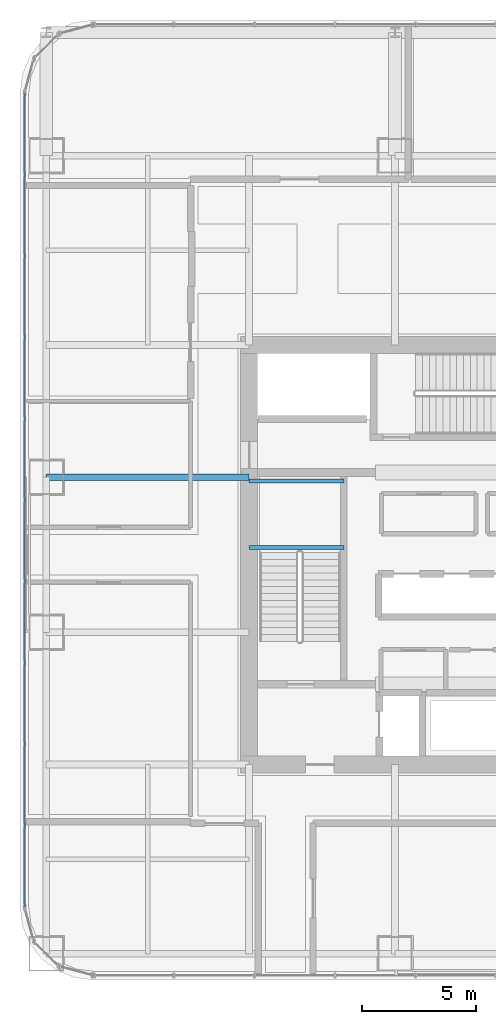
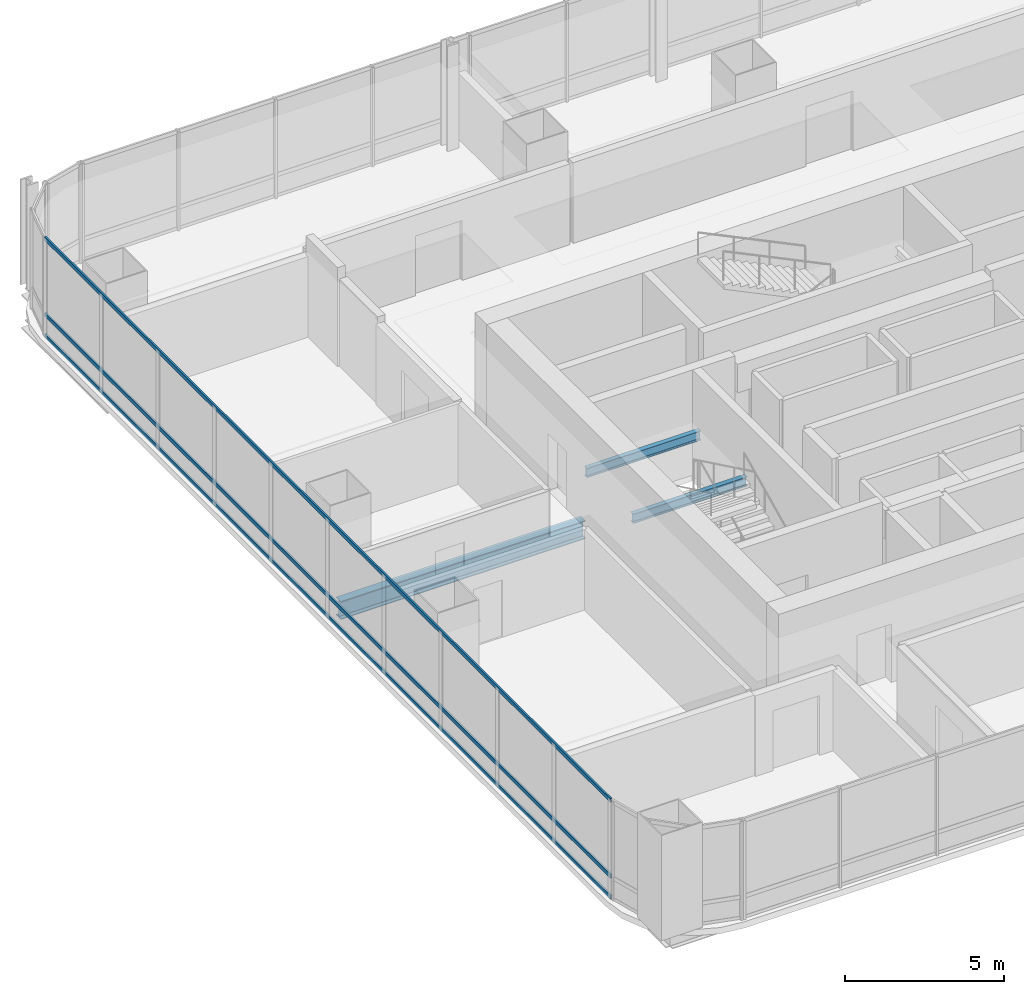
# One storey, part 10 of 34: 3 beams, 3 members, 1 element without a shape of its own.
"""IFC4 building model written with IfcOpenShell, lengths in metres."""

from ifc_helpers import new_model, si_unit, direction, frame, origin, origin_2d, place, context, subcontext, project, spatial, hollow_rectangle, i_section, extrude, material, material_profile, profile_set, type_object, element, aggregate, save


model = new_model("IFC4")

# Units and contexts
model_context = context("Model", 3, precision=1e-05, world=origin(), true_north=direction((0.0, 1.0)))
body_context = subcontext(model_context, "Body", "Model", "MODEL_VIEW")
ifc_project = project(units=[si_unit("LENGTHUNIT", "METRE"), si_unit("AREAUNIT", "SQUARE_METRE"), si_unit("VOLUMEUNIT", "CUBIC_METRE"), si_unit("PLANEANGLEUNIT", "RADIAN"), si_unit("MASSUNIT", "GRAM", prefix="KILO")], contexts=[model_context])

# Site, building, storey
site_placement = place(None, origin())
site = spatial("IfcSite", under=ifc_project, at=site_placement, CompositionType="ELEMENT")
building_placement = place(site_placement, origin())
building = spatial("IfcBuilding", under=site, at=building_placement, Name="Punatoya Terracotta Tower", CompositionType="ELEMENT")
storey_placement = place(building_placement, frame((0.0, 0.0, 97.050048828125)))
storey = spatial("IfcBuildingStorey", under=building, at=storey_placement, Name="L22", CompositionType="ELEMENT", Elevation=97.050048828125)

# Beams
ifc_material_1 = material(Name="Steel S355", Category="steel")
ifc_material_profile_1 = material_profile(ifc_material_1, i_section(OverallWidth=0.300048828125, OverallDepth=0.699951171875, WebThickness=0.01708984375, FlangeThickness=0.031982421875, FilletRadius=0.01806640625, at=origin_2d()))
ifc_profile_set_1 = profile_set([ifc_material_profile_1], Name="Steel S355")
beam_type_1 = type_object("IfcBeamType", Name="BM-PRI-700", PredefinedType="BEAM", material=ifc_profile_set_1)
beam_placement = place(storey_placement, frame((-19.10009765625, 3.39990234375, -0.590087890625), z_axis=(1.0, 0.0, 0.0), x_axis=(0.0, 1.0, 0.0)))
element("IfcBeam", 1, at=beam_placement, inside=storey, type_object=beam_type_1, Name="BM-L22-PR-WE", PredefinedType="BEAM", context=body_context, shape_type="SweptSolid", body=[
    extrude(i_section(OverallWidth=0.300048828125, OverallDepth=0.699951171875, WebThickness=0.01708984375, FlangeThickness=0.031982421875, FilletRadius=0.01806640625, at=origin_2d()), origin(), (0.0, 0.0, 1.0), 8.900146484375),
])
ifc_material_profile_2 = material_profile(ifc_material_1, i_section(OverallWidth=0.169921875, OverallDepth=0.360107421875, WebThickness=0.008056640625, FlangeThickness=0.0126953125, FilletRadius=0.01806640625, at=origin_2d()))
ifc_profile_set_2 = profile_set([ifc_material_profile_2], Name="Steel S355")
beam_type_2 = type_object("IfcBeamType", Name="BM-SEC-360", PredefinedType="JOIST", material=ifc_profile_set_2)
for number, where, z_axis, x_axis, name in (
    (2, (-10.199951171875, 0.320068359375, 1.64501953125), (1.0, 0.0, 0.0), (0.0, 1.0, 0.0), "BM-L22-ST-1-LD1A"),
    (3, (-10.199951171875, 3.22998046875, 1.64501953125), (1.0, 0.0, 0.0), (0.0, 1.0, 0.0), "BM-L22-ST-1-LD1B"),
):
    element("IfcBeam", number, at=place(storey_placement, frame(where, z_axis=z_axis, x_axis=x_axis)), inside=storey, type_object=beam_type_2, Name=name, PredefinedType="JOIST", context=body_context, shape_type="SweptSolid", body=[
        extrude(i_section(OverallWidth=0.169921875, OverallDepth=0.360107421875, WebThickness=0.008056640625, FlangeThickness=0.0126953125, FilletRadius=0.01806640625, at=origin_2d()), origin(), (0.0, 0.0, 1.0), 4.14990234375),
    ])

# Curtain wall, members
ifc_material_2 = material(Name="Aluminium 6063-T6 + Double Low-E Glass", Category="aluminium")
curtain_wall_type = type_object("IfcCurtainWallType", Name="CW-M1", PredefinedType="NOTDEFINED", material=ifc_material_2)
curtain_wall_placement = place(storey_placement, origin())
curtain_wall = element("IfcCurtainWall", 4, at=curtain_wall_placement, inside=storey, type_object=curtain_wall_type, Name="L22 Curtain Wall CW-L22-W13-1", PredefinedType="NOTDEFINED")
ifc_material_3 = material(Name="Aluminium 6063-T6", Category="aluminium")
ifc_material_profile_3 = material_profile(ifc_material_3, hollow_rectangle(XDim=0.068115234375, YDim=0.14990234375, WallThickness=0.00390625, at=origin_2d()))
ifc_profile_set_3 = profile_set([ifc_material_profile_3], Name="Aluminium 6063-T6")
member_type = type_object("IfcMemberType", Name="CW-TRN-TYP", PredefinedType="USERDEFINED", material=ifc_profile_set_3)
member_1_placement = place(storey_placement, frame((-20.050048828125, 20.23681640625, 0.0400390625), z_axis=(0.0, -1.0, 0.0), x_axis=(1.0, 0.0, 0.0)))
member_1 = element("IfcMember", 5, at=member_1_placement, type_object=member_type, Name="CW-L22-W13-1 Transom 1", ObjectType="TRANSOM", PredefinedType="USERDEFINED", context=body_context, shape_type="SweptSolid", body=[
    extrude(hollow_rectangle(XDim=0.068115234375, YDim=0.14990234375, WallThickness=0.00390625, at=origin_2d()), origin(), (0.0, 0.0, 1.0), 35.673828125),
])
member_2_placement = place(storey_placement, frame((-20.050048828125, 20.23681640625, 0.849853515625), z_axis=(0.0, -1.0, 0.0), x_axis=(1.0, 0.0, 0.0)))
member_2 = element("IfcMember", 6, at=member_2_placement, type_object=member_type, Name="CW-L22-W13-1 Transom 2", ObjectType="TRANSOM", PredefinedType="USERDEFINED", context=body_context, shape_type="SweptSolid", body=[
    extrude(hollow_rectangle(XDim=0.068115234375, YDim=0.14990234375, WallThickness=0.00390625, at=origin_2d()), origin(), (0.0, 0.0, 1.0), 35.673828125),
])
member_3_placement = place(storey_placement, frame((-20.050048828125, 20.23681640625, 3.77001953125), z_axis=(0.0, -1.0, 0.0), x_axis=(1.0, 0.0, 0.0)))
member_3 = element("IfcMember", 7, at=member_3_placement, type_object=member_type, Name="CW-L22-W13-1 Transom 3", ObjectType="TRANSOM", PredefinedType="USERDEFINED", context=body_context, shape_type="SweptSolid", body=[
    extrude(hollow_rectangle(XDim=0.068115234375, YDim=0.14990234375, WallThickness=0.00390625, at=origin_2d()), origin(), (0.0, 0.0, 1.0), 35.673828125),
])
aggregate(curtain_wall, [member_1, member_2, member_3])

save(model, "model.ifc")
